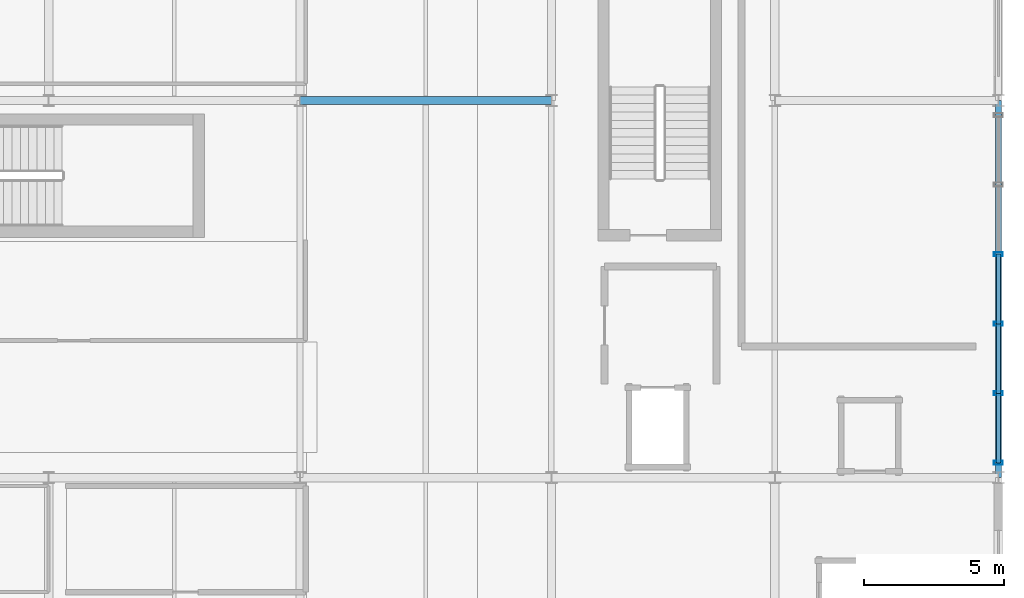
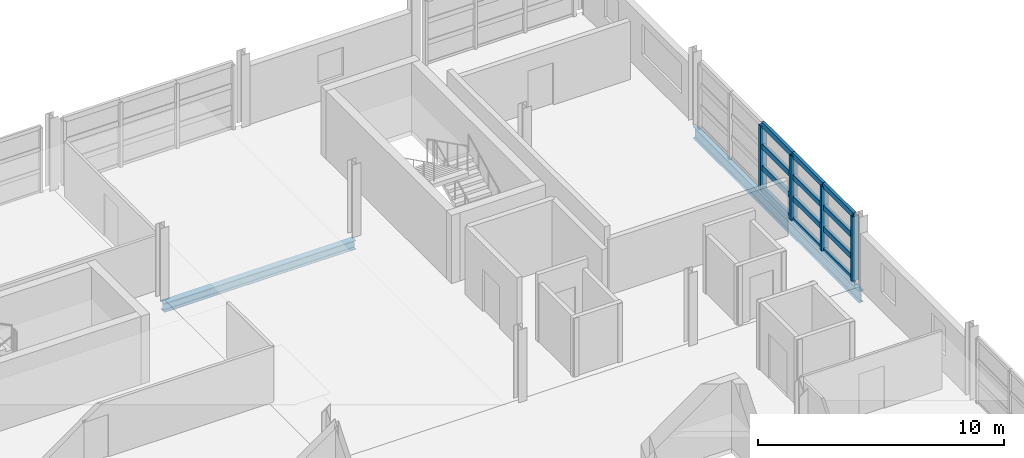
# One storey, part 80 of 116: 16 members, 2 beams, 1 element without a shape of its own.
"""IFC4 building model written with IfcOpenShell, lengths in metres."""

from ifc_helpers import new_model, si_unit, direction, frame, origin, origin_2d, place, context, subcontext, project, spatial, hollow_rectangle, i_section, extrude, material, material_profile, profile_set, type_object, element, aggregate, save


model = new_model("IFC4")

# Units and contexts
model_context = context("Model", 3, precision=1e-05, world=origin(), true_north=direction((0.0, 1.0)))
body_context = subcontext(model_context, "Body", "Model", "MODEL_VIEW")
ifc_project = project(units=[si_unit("LENGTHUNIT", "METRE"), si_unit("AREAUNIT", "SQUARE_METRE"), si_unit("VOLUMEUNIT", "CUBIC_METRE"), si_unit("PLANEANGLEUNIT", "RADIAN"), si_unit("MASSUNIT", "GRAM", prefix="KILO")], contexts=[model_context])

# Site, building, storey
site_placement = place(None, origin())
site = spatial("IfcSite", under=ifc_project, at=site_placement, CompositionType="ELEMENT")
building_placement = place(site_placement, origin())
building = spatial("IfcBuilding", under=site, at=building_placement, Name="Chuanluo Vaults Station", CompositionType="ELEMENT")
storey_placement = place(building_placement, frame((0.0, 0.0, 10.800048828125)))
storey = spatial("IfcBuildingStorey", under=building, at=storey_placement, Name="L02", CompositionType="ELEMENT", Elevation=10.800048828125)

# Beams
ifc_material_1 = material(Name="Steel Q355C", Category="steel")
ifc_material_profile_1 = material_profile(ifc_material_1, i_section(OverallWidth=0.300048828125, OverallDepth=0.43994140625, WebThickness=0.010986328125, FlangeThickness=0.01806640625, FilletRadius=0.02001953125, at=origin_2d()))
ifc_profile_set_1 = profile_set([ifc_material_profile_1], Name="Steel Q355C")
beam_type_1 = type_object("IfcBeamType", Name="BM-GRD-450", PredefinedType="USERDEFINED", material=ifc_profile_set_1)
beam_1_placement = place(storey_placement, frame((163.0, 117.0, -0.43994140625), z_axis=(1.0, 0.0, 0.0), x_axis=(0.0, 1.0, 0.0)))
element("IfcBeam", 1, at=beam_1_placement, inside=storey, type_object=beam_type_1, Name="Floor girder BM:GX:L02:0610", ObjectType="GIRDER", PredefinedType="USERDEFINED", context=body_context, shape_type="SweptSolid", body=[
    extrude(i_section(OverallWidth=0.300048828125, OverallDepth=0.43994140625, WebThickness=0.010986328125, FlangeThickness=0.01806640625, FilletRadius=0.02001953125, at=origin_2d()), origin(), (0.0, 0.0, 1.0), 9.0),
])
ifc_material_2 = material(Name="Steel Q355C", Category="steel")
ifc_material_profile_2 = material_profile(ifc_material_2, i_section(OverallWidth=0.2099609375, OverallDepth=0.580078125, WebThickness=0.010986328125, FlangeThickness=0.01708984375, FilletRadius=0.01806640625, at=origin_2d()))
ifc_profile_set_2 = profile_set([ifc_material_profile_2], Name="Steel Q355C")
beam_type_2 = type_object("IfcBeamType", Name="BM-SPN-600", PredefinedType="SPANDREL", material=ifc_profile_set_2)
beam_2_placement = place(storey_placement, frame((188.0, 103.5, -0.510009765625), z_axis=(0.0, 1.0, 0.0), x_axis=(-1.0, 0.0, 0.0)))
element("IfcBeam", 2, at=beam_2_placement, inside=storey, type_object=beam_type_2, Name="Floor girder BM:GY:L02:0709", PredefinedType="SPANDREL", context=body_context, shape_type="SweptSolid", body=[
    extrude(i_section(OverallWidth=0.2099609375, OverallDepth=0.580078125, WebThickness=0.010986328125, FlangeThickness=0.01708984375, FilletRadius=0.01806640625, at=origin_2d()), origin(), (0.0, 0.0, 1.0), 13.5),
])

# Curtain wall, members
ifc_material_3 = material(Name="Anodised aluminium 6063-T6", Category="aluminium")
curtain_wall_type = type_object("IfcCurtainWallType", Name="CW-SYS-17", PredefinedType="NOTDEFINED", material=ifc_material_3)
curtain_wall_placement = place(storey_placement, origin())
curtain_wall = element("IfcCurtainWall", 3, at=curtain_wall_placement, inside=storey, type_object=curtain_wall_type, Name="Operations L02 facade CW", PredefinedType="NOTDEFINED")
ifc_material_4 = material(Name="Anodised aluminium 6063-T6", Category="aluminium")
ifc_material_profile_3 = material_profile(ifc_material_4, hollow_rectangle(XDim=0.139892578125, YDim=0.320068359375, WallThickness=0.008056640625, at=origin_2d()))
ifc_profile_set_3 = profile_set([ifc_material_profile_3], Name="Anodised aluminium 6063-T6")
member_type_1 = type_object("IfcMemberType", Name="CWM-220", PredefinedType="MULLION", material=ifc_profile_set_3)
member_1_placement = place(storey_placement, frame((188.0, 111.4951171875, 0.0), z_axis=(0.0, 0.0, 1.0), x_axis=(0.0, -1.0, 0.0)))
member_1 = element("IfcMember", 4, at=member_1_placement, type_object=member_type_1, Name="Operations L02 facade CW mullion 3", PredefinedType="MULLION", context=body_context, shape_type="SweptSolid", body=[
    extrude(hollow_rectangle(XDim=0.139892578125, YDim=0.320068359375, WallThickness=0.008056640625, at=origin_2d()), origin(), (0.0, 0.0, 1.0), 3.199951171875),
])
member_2_placement = place(storey_placement, frame((188.0, 109.0048828125, 0.0), z_axis=(0.0, 0.0, 1.0), x_axis=(0.0, -1.0, 0.0)))
member_2 = element("IfcMember", 5, at=member_2_placement, type_object=member_type_1, Name="Operations L02 facade CW mullion 4", PredefinedType="MULLION", context=body_context, shape_type="SweptSolid", body=[
    extrude(hollow_rectangle(XDim=0.139892578125, YDim=0.320068359375, WallThickness=0.008056640625, at=origin_2d()), origin(), (0.0, 0.0, 1.0), 3.199951171875),
])
member_3_placement = place(storey_placement, frame((188.0, 106.514892578125, 0.0), z_axis=(0.0, 0.0, 1.0), x_axis=(0.0, -1.0, 0.0)))
member_3 = element("IfcMember", 6, at=member_3_placement, type_object=member_type_1, Name="Operations L02 facade CW mullion 5", PredefinedType="MULLION", context=body_context, shape_type="SweptSolid", body=[
    extrude(hollow_rectangle(XDim=0.139892578125, YDim=0.320068359375, WallThickness=0.008056640625, at=origin_2d()), origin(), (0.0, 0.0, 1.0), 3.199951171875),
])
member_4_placement = place(storey_placement, frame((188.0, 104.02490234375, 0.0), z_axis=(0.0, 0.0, 1.0), x_axis=(0.0, -1.0, 0.0)))
member_4 = element("IfcMember", 7, at=member_4_placement, type_object=member_type_1, Name="Operations L02 facade CW mullion 6", PredefinedType="MULLION", context=body_context, shape_type="SweptSolid", body=[
    extrude(hollow_rectangle(XDim=0.139892578125, YDim=0.320068359375, WallThickness=0.008056640625, at=origin_2d()), origin(), (0.0, 0.0, 1.0), 3.199951171875),
])
ifc_material_5 = material(Name="Anodised aluminium 6063-T6", Category="aluminium")
ifc_material_profile_4 = material_profile(ifc_material_5, hollow_rectangle(XDim=0.139892578125, YDim=0.260009765625, WallThickness=0.007080078125, at=origin_2d()))
ifc_profile_set_4 = profile_set([ifc_material_profile_4], Name="Anodised aluminium 6063-T6")
member_type_2 = type_object("IfcMemberType", Name="CWT-180", PredefinedType="USERDEFINED", material=ifc_profile_set_4)
member_5_placement = place(storey_placement, frame((188.0, 111.4951171875, 0.0), z_axis=(0.0, -1.0, 0.0), x_axis=(1.0, 0.0, 0.0)))
member_5 = element("IfcMember", 8, at=member_5_placement, type_object=member_type_2, Name="Operations L02 facade CW transom 3.1", ObjectType="TRANSOM", PredefinedType="USERDEFINED", context=body_context, shape_type="SweptSolid", body=[
    extrude(hollow_rectangle(XDim=0.139892578125, YDim=0.260009765625, WallThickness=0.007080078125, at=origin_2d()), origin(), (0.0, 0.0, 1.0), 2.490234375),
])
member_6_placement = place(storey_placement, frame((188.0, 111.4951171875, 1.066650390625), z_axis=(0.0, -1.0, 0.0), x_axis=(1.0, 0.0, 0.0)))
member_6 = element("IfcMember", 9, at=member_6_placement, type_object=member_type_2, Name="Operations L02 facade CW transom 3.2", ObjectType="TRANSOM", PredefinedType="USERDEFINED", context=body_context, shape_type="SweptSolid", body=[
    extrude(hollow_rectangle(XDim=0.139892578125, YDim=0.260009765625, WallThickness=0.007080078125, at=origin_2d()), origin(), (0.0, 0.0, 1.0), 2.490234375),
])
member_7_placement = place(storey_placement, frame((188.0, 111.4951171875, 2.13330078125), z_axis=(0.0, -1.0, 0.0), x_axis=(1.0, 0.0, 0.0)))
member_7 = element("IfcMember", 10, at=member_7_placement, type_object=member_type_2, Name="Operations L02 facade CW transom 3.3", ObjectType="TRANSOM", PredefinedType="USERDEFINED", context=body_context, shape_type="SweptSolid", body=[
    extrude(hollow_rectangle(XDim=0.139892578125, YDim=0.260009765625, WallThickness=0.007080078125, at=origin_2d()), origin(), (0.0, 0.0, 1.0), 2.490234375),
])
member_8_placement = place(storey_placement, frame((188.0, 111.4951171875, 3.199951171875), z_axis=(0.0, -1.0, 0.0), x_axis=(1.0, 0.0, 0.0)))
member_8 = element("IfcMember", 11, at=member_8_placement, type_object=member_type_2, Name="Operations L02 facade CW transom 3.4", ObjectType="TRANSOM", PredefinedType="USERDEFINED", context=body_context, shape_type="SweptSolid", body=[
    extrude(hollow_rectangle(XDim=0.139892578125, YDim=0.260009765625, WallThickness=0.007080078125, at=origin_2d()), origin(), (0.0, 0.0, 1.0), 2.490234375),
])
member_9_placement = place(storey_placement, frame((188.0, 109.0048828125, 0.0), z_axis=(0.0, -1.0, 0.0), x_axis=(1.0, 0.0, 0.0)))
member_9 = element("IfcMember", 12, at=member_9_placement, type_object=member_type_2, Name="Operations L02 facade CW transom 4.1", ObjectType="TRANSOM", PredefinedType="USERDEFINED", context=body_context, shape_type="SweptSolid", body=[
    extrude(hollow_rectangle(XDim=0.139892578125, YDim=0.260009765625, WallThickness=0.007080078125, at=origin_2d()), origin(), (0.0, 0.0, 1.0), 2.489990234375),
])
member_10_placement = place(storey_placement, frame((188.0, 109.0048828125, 1.066650390625), z_axis=(0.0, -1.0, 0.0), x_axis=(1.0, 0.0, 0.0)))
member_10 = element("IfcMember", 13, at=member_10_placement, type_object=member_type_2, Name="Operations L02 facade CW transom 4.2", ObjectType="TRANSOM", PredefinedType="USERDEFINED", context=body_context, shape_type="SweptSolid", body=[
    extrude(hollow_rectangle(XDim=0.139892578125, YDim=0.260009765625, WallThickness=0.007080078125, at=origin_2d()), origin(), (0.0, 0.0, 1.0), 2.489990234375),
])
member_11_placement = place(storey_placement, frame((188.0, 109.0048828125, 2.13330078125), z_axis=(0.0, -1.0, 0.0), x_axis=(1.0, 0.0, 0.0)))
member_11 = element("IfcMember", 14, at=member_11_placement, type_object=member_type_2, Name="Operations L02 facade CW transom 4.3", ObjectType="TRANSOM", PredefinedType="USERDEFINED", context=body_context, shape_type="SweptSolid", body=[
    extrude(hollow_rectangle(XDim=0.139892578125, YDim=0.260009765625, WallThickness=0.007080078125, at=origin_2d()), origin(), (0.0, 0.0, 1.0), 2.489990234375),
])
member_12_placement = place(storey_placement, frame((188.0, 109.0048828125, 3.199951171875), z_axis=(0.0, -1.0, 0.0), x_axis=(1.0, 0.0, 0.0)))
member_12 = element("IfcMember", 15, at=member_12_placement, type_object=member_type_2, Name="Operations L02 facade CW transom 4.4", ObjectType="TRANSOM", PredefinedType="USERDEFINED", context=body_context, shape_type="SweptSolid", body=[
    extrude(hollow_rectangle(XDim=0.139892578125, YDim=0.260009765625, WallThickness=0.007080078125, at=origin_2d()), origin(), (0.0, 0.0, 1.0), 2.489990234375),
])
member_13_placement = place(storey_placement, frame((188.0, 106.514892578125, 0.0), z_axis=(0.0, -1.0, 0.0), x_axis=(1.0, 0.0, 0.0)))
member_13 = element("IfcMember", 16, at=member_13_placement, type_object=member_type_2, Name="Operations L02 facade CW transom 5.1", ObjectType="TRANSOM", PredefinedType="USERDEFINED", context=body_context, shape_type="SweptSolid", body=[
    extrude(hollow_rectangle(XDim=0.139892578125, YDim=0.260009765625, WallThickness=0.007080078125, at=origin_2d()), origin(), (0.0, 0.0, 1.0), 2.489990234375),
])
member_14_placement = place(storey_placement, frame((188.0, 106.514892578125, 1.066650390625), z_axis=(0.0, -1.0, 0.0), x_axis=(1.0, 0.0, 0.0)))
member_14 = element("IfcMember", 17, at=member_14_placement, type_object=member_type_2, Name="Operations L02 facade CW transom 5.2", ObjectType="TRANSOM", PredefinedType="USERDEFINED", context=body_context, shape_type="SweptSolid", body=[
    extrude(hollow_rectangle(XDim=0.139892578125, YDim=0.260009765625, WallThickness=0.007080078125, at=origin_2d()), origin(), (0.0, 0.0, 1.0), 2.489990234375),
])
member_15_placement = place(storey_placement, frame((188.0, 106.514892578125, 2.13330078125), z_axis=(0.0, -1.0, 0.0), x_axis=(1.0, 0.0, 0.0)))
member_15 = element("IfcMember", 18, at=member_15_placement, type_object=member_type_2, Name="Operations L02 facade CW transom 5.3", ObjectType="TRANSOM", PredefinedType="USERDEFINED", context=body_context, shape_type="SweptSolid", body=[
    extrude(hollow_rectangle(XDim=0.139892578125, YDim=0.260009765625, WallThickness=0.007080078125, at=origin_2d()), origin(), (0.0, 0.0, 1.0), 2.489990234375),
])
member_16_placement = place(storey_placement, frame((188.0, 106.514892578125, 3.199951171875), z_axis=(0.0, -1.0, 0.0), x_axis=(1.0, 0.0, 0.0)))
member_16 = element("IfcMember", 19, at=member_16_placement, type_object=member_type_2, Name="Operations L02 facade CW transom 5.4", ObjectType="TRANSOM", PredefinedType="USERDEFINED", context=body_context, shape_type="SweptSolid", body=[
    extrude(hollow_rectangle(XDim=0.139892578125, YDim=0.260009765625, WallThickness=0.007080078125, at=origin_2d()), origin(), (0.0, 0.0, 1.0), 2.489990234375),
])
aggregate(curtain_wall, [member_1, member_2, member_3, member_4, member_5, member_6, member_7, member_8, member_9, member_10, member_11, member_12, member_13, member_14, member_15, member_16])

save(model, "model.ifc")
